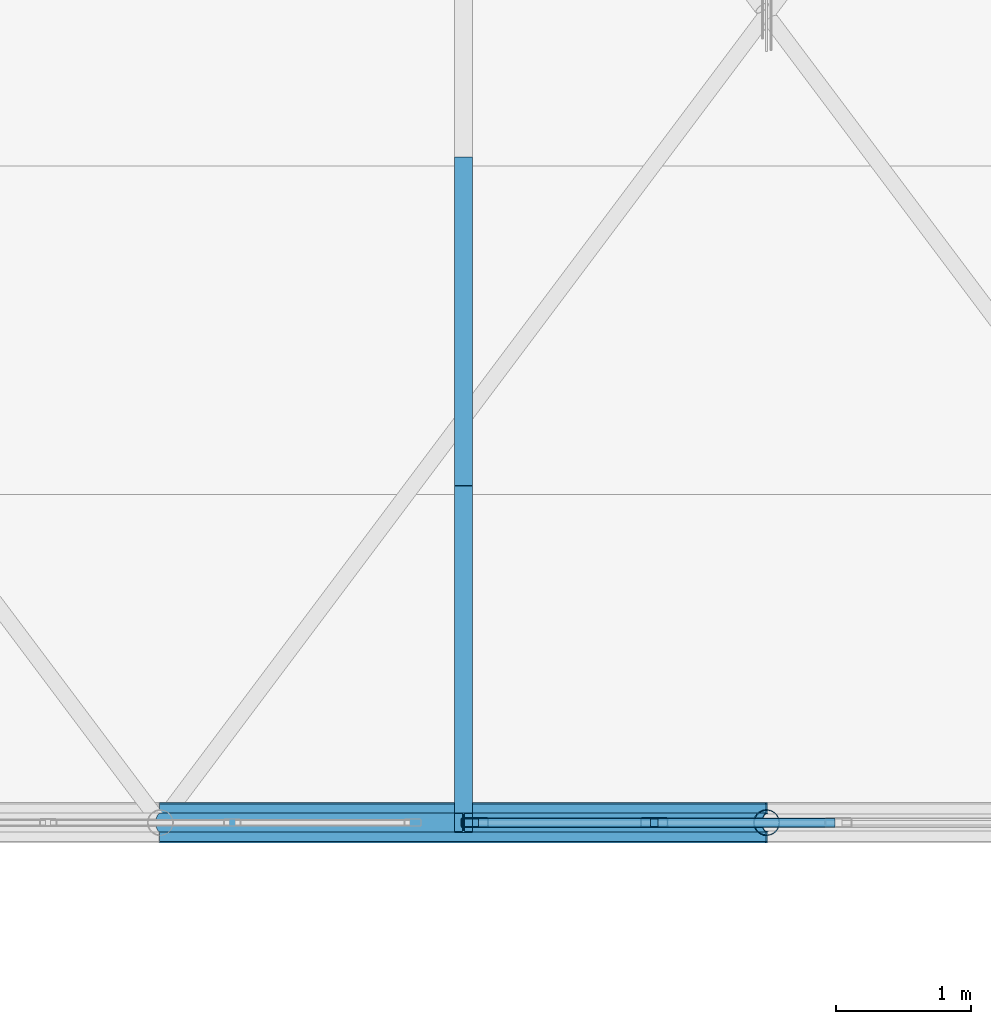
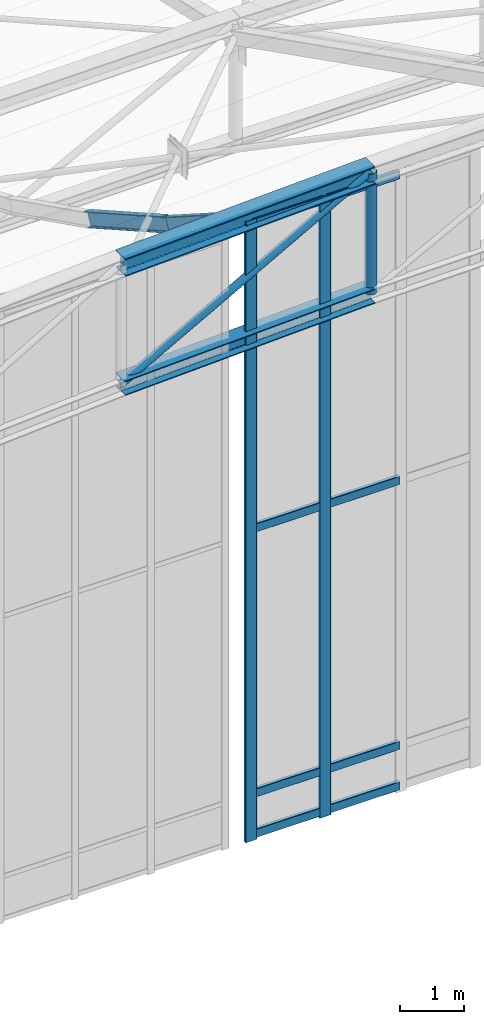
# One storey, part 51 of 262: 16 members, 1 element without a shape of its own.
"""IFC4 building model written with IfcOpenShell, lengths in metres."""

from ifc_helpers import new_model, si_unit, derived_unit, direction, frame, origin, origin_2d, place, context, subcontext, project, spatial, hollow_rectangle, hollow_circle, i_section, extrude, material, layer, layer_set, material_profile, profile_set, type_object, element, aggregate, save


model = new_model("IFC4")

# Units and contexts
model_context = context("Model", 3, precision=1e-05, world=origin(), true_north=direction((0.0, 1.0)))
body_context = subcontext(model_context, "Body", "Model", "MODEL_VIEW")
ifc_project = project(units=[si_unit("LENGTHUNIT", "METRE"), si_unit("AREAUNIT", "SQUARE_METRE"), si_unit("VOLUMEUNIT", "CUBIC_METRE"), si_unit("PLANEANGLEUNIT", "RADIAN"), si_unit("MASSUNIT", "GRAM", prefix="KILO"), derived_unit("THERMALTRANSMITTANCEUNIT", [(si_unit("POWERUNIT", "WATT"), 1), (si_unit("LENGTHUNIT", "METRE"), -2), (si_unit("THERMODYNAMICTEMPERATUREUNIT", "KELVIN"), -1)])], contexts=[model_context])

# Site, building, storey
site_placement = place(None, origin())
site = spatial("IfcSite", under=ifc_project, at=site_placement, CompositionType="ELEMENT")
building_placement = place(site_placement, origin())
building = spatial("IfcBuilding", under=site, at=building_placement, Name="Almenara Railside Exhibition Hall", CompositionType="ELEMENT")
storey_placement = place(building_placement, frame((0.0, 0.0, 21.699951171875)))
storey = spatial("IfcBuildingStorey", under=building, at=storey_placement, Name="RF", CompositionType="ELEMENT", Elevation=21.699951171875)

# Members
ifc_material_1 = material(Name="Structural steel S355JR", Category="steel")
ifc_material_profile_1 = material_profile(ifc_material_1, i_section(OverallWidth=0.280029296875, OverallDepth=0.280029296875, WebThickness=0.010498046875, FlangeThickness=0.01806640625, FilletRadius=0.02392578125, at=origin_2d()), Name="HEB 280")
ifc_profile_set_1 = profile_set([ifc_material_profile_1], Name="Structural steel S355JR")
member_type_1 = type_object("IfcMemberType", Name="Arched Gable Bottom Chord HEB 280 S355JR", PredefinedType="CHORD", material=ifc_profile_set_1)
member_1_placement = place(storey_placement, frame((30.0, 48.0, 8.5556640625), z_axis=(0.99917098071, 0.0, 0.04071057978), x_axis=(0.0, 1.0, 0.0)))
element("IfcMember", 1, at=member_1_placement, inside=storey, type_object=member_type_1, Name="MEM-BC-V1-00-04", PredefinedType="CHORD", context=body_context, shape_type="SweptSolid", body=[
    extrude(i_section(OverallWidth=0.280029296875, OverallDepth=0.280029296875, WebThickness=0.010498046875, FlangeThickness=0.01806640625, FilletRadius=0.02392578125, at=origin_2d()), origin(), (0.0, 0.0, 1.0), 4.503662109375),
])
ifc_material_profile_2 = material_profile(ifc_material_1, i_section(OverallWidth=0.300048828125, OverallDepth=0.340087890625, WebThickness=0.011962890625, FlangeThickness=0.021484375, FilletRadius=0.027099609375, at=origin_2d()), Name="HEB 340")
ifc_profile_set_2 = profile_set([ifc_material_profile_2], Name="Structural steel S355JR")
member_type_2 = type_object("IfcMemberType", Name="Arched Gable Top Chord HEB 340 S355JR", PredefinedType="CHORD", material=ifc_profile_set_2)
member_2_placement = place(storey_placement, frame((30.0, 48.0, 10.855712890625), z_axis=(0.999173184279, 0.0, 0.040656460949), x_axis=(0.0, 1.0, 0.0)))
element("IfcMember", 2, at=member_2_placement, inside=storey, type_object=member_type_2, Name="MEM-TC-V1-00-04", PredefinedType="CHORD", context=body_context, shape_type="SweptSolid", body=[
    extrude(i_section(OverallWidth=0.300048828125, OverallDepth=0.340087890625, WebThickness=0.011962890625, FlangeThickness=0.021484375, FilletRadius=0.027099609375, at=origin_2d()), origin(), (0.0, 0.0, 1.0), 4.503662109375),
])

# Curtain wall, members
ifc_material_2 = material(Name="Bronze-anodised aluminium and low-E double glazing", Category="aluminium")
ifc_layer = layer(ifc_material_2, 0.179931640625, Name="Bronze-anodised aluminium and low-E double glazing")
ifc_layer_set = layer_set([ifc_layer], Name="Bronze-anodised aluminium and low-E double glazing")
curtain_wall_type = type_object("IfcCurtainWallType", Name="Scroll Gable Tall Curtain Wall 3800x5400", PredefinedType="NOTDEFINED", material=ifc_layer_set)
curtain_wall_placement = place(storey_placement, origin())
curtain_wall = element("IfcCurtainWall", 3, at=curtain_wall_placement, inside=storey, type_object=curtain_wall_type, Name="Curtain wall CW-G1-200", PredefinedType="NOTDEFINED")
ifc_material_3 = material(Name="Bronze-anodised aluminium", Category="aluminium")
ifc_material_profile_3 = material_profile(ifc_material_3, hollow_rectangle(XDim=0.070068359375, YDim=0.199951171875, WallThickness=0.00439453125, InnerFilletRadius=0.00439453125, OuterFilletRadius=0.009033203125, at=origin_2d()), Name="ALU-MUL 70x200x4.5")
ifc_profile_set_3 = profile_set([ifc_material_profile_3], Name="Bronze-anodised aluminium")
member_type_3 = type_object("IfcMemberType", Name="Curtain Wall Mullion 70x200x4.5", PredefinedType="MULLION", material=ifc_profile_set_3)
member_3_placement = place(storey_placement, frame((32.3349609375, 48.0, -0.93505859375), z_axis=(0.0, 0.0, 1.0), x_axis=(0.0, 1.0, 0.0)))
member_3 = element("IfcMember", 4, at=member_3_placement, type_object=member_type_3, Name="CW-G1-200 mullion 1", PredefinedType="MULLION", context=body_context, shape_type="SweptSolid", body=[
    extrude(hollow_rectangle(XDim=0.070068359375, YDim=0.199951171875, WallThickness=0.00439453125, InnerFilletRadius=0.00439453125, OuterFilletRadius=0.009033203125, at=origin_2d()), origin(), (0.0, 0.0, 1.0), 11.815185546875),
])
member_4_placement = place(storey_placement, frame((33.666748046875, 48.0, -0.93505859375), z_axis=(0.0, 0.0, 1.0), x_axis=(0.0, 1.0, 0.0)))
member_4 = element("IfcMember", 5, at=member_4_placement, type_object=member_type_3, Name="CW-G1-200 mullion 2", PredefinedType="MULLION", context=body_context, shape_type="SweptSolid", body=[
    extrude(hollow_rectangle(XDim=0.070068359375, YDim=0.199951171875, WallThickness=0.00439453125, InnerFilletRadius=0.00439453125, OuterFilletRadius=0.009033203125, at=origin_2d()), origin(), (0.0, 0.0, 1.0), 11.815185546875),
])
ifc_material_profile_4 = material_profile(ifc_material_3, hollow_rectangle(XDim=0.070068359375, YDim=0.159912109375, WallThickness=0.00390625, InnerFilletRadius=0.00390625, OuterFilletRadius=0.008056640625, at=origin_2d()), Name="ALU-TRN 70x160x4")
ifc_profile_set_4 = profile_set([ifc_material_profile_4], Name="Bronze-anodised aluminium")
member_type_4 = type_object("IfcMemberType", Name="Curtain Wall Transom 70x160x4", PredefinedType="USERDEFINED", material=ifc_profile_set_4)
member_5_placement = place(storey_placement, frame((32.362060546875, 48.0, -0.820068359375), z_axis=(1.0, 0.0, 0.0), x_axis=(0.0, 1.0, 0.0)))
member_5 = element("IfcMember", 6, at=member_5_placement, type_object=member_type_4, Name="CW-G1-200 transom 1.1", ObjectType="TRANSOM", PredefinedType="USERDEFINED", context=body_context, shape_type="SweptSolid", body=[
    extrude(hollow_rectangle(XDim=0.070068359375, YDim=0.159912109375, WallThickness=0.00390625, InnerFilletRadius=0.00390625, OuterFilletRadius=0.008056640625, at=origin_2d()), origin(), (0.0, 0.0, 1.0), 1.277587890625),
])
member_6_placement = place(storey_placement, frame((32.362060546875, 48.0, -0.050048828125), z_axis=(1.0, 0.0, 0.0), x_axis=(0.0, 1.0, 0.0)))
member_6 = element("IfcMember", 7, at=member_6_placement, type_object=member_type_4, Name="CW-G1-200 transom 1.2", ObjectType="TRANSOM", PredefinedType="USERDEFINED", context=body_context, shape_type="SweptSolid", body=[
    extrude(hollow_rectangle(XDim=0.070068359375, YDim=0.159912109375, WallThickness=0.00390625, InnerFilletRadius=0.00390625, OuterFilletRadius=0.008056640625, at=origin_2d()), origin(), (0.0, 0.0, 1.0), 1.277587890625),
])
member_7_placement = place(storey_placement, frame((32.362060546875, 48.0, 4.989990234375), z_axis=(1.0, 0.0, 0.0), x_axis=(0.0, 1.0, 0.0)))
member_7 = element("IfcMember", 8, at=member_7_placement, type_object=member_type_4, Name="CW-G1-200 transom 1.3", ObjectType="TRANSOM", PredefinedType="USERDEFINED", context=body_context, shape_type="SweptSolid", body=[
    extrude(hollow_rectangle(XDim=0.070068359375, YDim=0.159912109375, WallThickness=0.00390625, InnerFilletRadius=0.00390625, OuterFilletRadius=0.008056640625, at=origin_2d()), origin(), (0.0, 0.0, 1.0), 1.277587890625),
])
member_8_placement = place(storey_placement, frame((32.362060546875, 48.0, 10.800048828125), z_axis=(1.0, 0.0, 0.0), x_axis=(0.0, 1.0, 0.0)))
member_8 = element("IfcMember", 9, at=member_8_placement, type_object=member_type_4, Name="CW-G1-200 transom 1.4", ObjectType="TRANSOM", PredefinedType="USERDEFINED", context=body_context, shape_type="SweptSolid", body=[
    extrude(hollow_rectangle(XDim=0.070068359375, YDim=0.159912109375, WallThickness=0.00390625, InnerFilletRadius=0.00390625, OuterFilletRadius=0.008056640625, at=origin_2d()), origin(), (0.0, 0.0, 1.0), 1.277587890625),
])
member_9_placement = place(storey_placement, frame((33.693603515625, 48.0, -0.820068359375), z_axis=(1.0, 0.0, 0.0), x_axis=(0.0, 1.0, 0.0)))
member_9 = element("IfcMember", 10, at=member_9_placement, type_object=member_type_4, Name="CW-G1-200 transom 2.1", ObjectType="TRANSOM", PredefinedType="USERDEFINED", context=body_context, shape_type="SweptSolid", body=[
    extrude(hollow_rectangle(XDim=0.070068359375, YDim=0.159912109375, WallThickness=0.00390625, InnerFilletRadius=0.00390625, OuterFilletRadius=0.008056640625, at=origin_2d()), origin(), (0.0, 0.0, 1.0), 1.312744140625),
])
member_10_placement = place(storey_placement, frame((33.693603515625, 48.0, -0.050048828125), z_axis=(1.0, 0.0, 0.0), x_axis=(0.0, 1.0, 0.0)))
member_10 = element("IfcMember", 11, at=member_10_placement, type_object=member_type_4, Name="CW-G1-200 transom 2.2", ObjectType="TRANSOM", PredefinedType="USERDEFINED", context=body_context, shape_type="SweptSolid", body=[
    extrude(hollow_rectangle(XDim=0.070068359375, YDim=0.159912109375, WallThickness=0.00390625, InnerFilletRadius=0.00390625, OuterFilletRadius=0.008056640625, at=origin_2d()), origin(), (0.0, 0.0, 1.0), 1.312744140625),
])
member_11_placement = place(storey_placement, frame((33.693603515625, 48.0, 4.989990234375), z_axis=(1.0, 0.0, 0.0), x_axis=(0.0, 1.0, 0.0)))
member_11 = element("IfcMember", 12, at=member_11_placement, type_object=member_type_4, Name="CW-G1-200 transom 2.3", ObjectType="TRANSOM", PredefinedType="USERDEFINED", context=body_context, shape_type="SweptSolid", body=[
    extrude(hollow_rectangle(XDim=0.070068359375, YDim=0.159912109375, WallThickness=0.00390625, InnerFilletRadius=0.00390625, OuterFilletRadius=0.008056640625, at=origin_2d()), origin(), (0.0, 0.0, 1.0), 1.312744140625),
])
member_12_placement = place(storey_placement, frame((33.693603515625, 48.0, 10.800048828125), z_axis=(1.0, 0.0, 0.0), x_axis=(0.0, 1.0, 0.0)))
member_12 = element("IfcMember", 13, at=member_12_placement, type_object=member_type_4, Name="CW-G1-200 transom 2.4", ObjectType="TRANSOM", PredefinedType="USERDEFINED", context=body_context, shape_type="SweptSolid", body=[
    extrude(hollow_rectangle(XDim=0.070068359375, YDim=0.159912109375, WallThickness=0.00390625, InnerFilletRadius=0.00390625, OuterFilletRadius=0.008056640625, at=origin_2d()), origin(), (0.0, 0.0, 1.0), 1.312744140625),
])
aggregate(curtain_wall, [member_3, member_4, member_5, member_6, member_7, member_8, member_9, member_10, member_11, member_12])

# Members
ifc_material_profile_5 = material_profile(ifc_material_1, i_section(OverallWidth=0.135009765625, OverallDepth=0.27001953125, WebThickness=0.006591796875, FlangeThickness=0.01025390625, FilletRadius=0.014892578125, at=origin_2d()), Name="IPE 270")
ifc_profile_set_5 = profile_set([ifc_material_profile_5], Name="Structural steel S355JR")
member_type_5 = type_object("IfcMemberType", Name="East Hall Standard Purlin IPE 270 S355JR", PredefinedType="PURLIN", material=ifc_profile_set_5)
member_13_placement = place(storey_placement, frame((32.25, 48.0, 10.885986328125), z_axis=(0.0, 0.842265270347, -0.53906327492), x_axis=(-1.0, 0.0, 0.0)))
element("IfcMember", 14, at=member_13_placement, inside=storey, type_object=member_type_5, Name="MEM-PR-V1-PR-IPE270-03-00", PredefinedType="PURLIN", context=body_context, shape_type="SweptSolid", body=[
    extrude(i_section(OverallWidth=0.135009765625, OverallDepth=0.27001953125, WebThickness=0.006591796875, FlangeThickness=0.01025390625, FilletRadius=0.014892578125, at=origin_2d()), origin(), (0.0, 0.0, 1.0), 2.89306640625),
])
member_14_placement = place(storey_placement, frame((32.25, 50.436767578125, 9.33837890625), z_axis=(0.0, 0.870483227181, -0.492198081261), x_axis=(-1.0, 0.0, 0.0)))
element("IfcMember", 15, at=member_14_placement, inside=storey, type_object=member_type_5, Name="MEM-PR-V1-PR-IPE270-03-01", PredefinedType="PURLIN", context=body_context, shape_type="SweptSolid", body=[
    extrude(i_section(OverallWidth=0.135009765625, OverallDepth=0.27001953125, WebThickness=0.006591796875, FlangeThickness=0.01025390625, FilletRadius=0.014892578125, at=origin_2d()), origin(), (0.0, 0.0, 1.0), 2.799072265625),
])
ifc_material_profile_6 = material_profile(ifc_material_1, hollow_circle(Radius=0.06982421875, WallThickness=0.0048828125, at=origin_2d()), Name="CHS 139.7x5")
ifc_profile_set_6 = profile_set([ifc_material_profile_6], Name="Structural steel S355JR")
member_type_6 = type_object("IfcMemberType", Name="Truss Inner Diagonal CHS 139.7x5 S355JR", PredefinedType="BRACE", material=ifc_profile_set_6)
member_15_placement = place(storey_placement, frame((30.0, 48.0, 8.5556640625), z_axis=(0.875545119572, 0.0, 0.483136361283), x_axis=(0.0, 1.0, 0.0)))
element("IfcMember", 16, at=member_15_placement, inside=storey, type_object=member_type_6, Name="MEM-TD-V1-00-04", PredefinedType="BRACE", context=body_context, shape_type="SweptSolid", body=[
    extrude(hollow_circle(Radius=0.06982421875, WallThickness=0.0048828125, at=origin_2d()), origin(), (0.0, 0.0, 1.0), 5.1396484375),
])
ifc_material_profile_7 = material_profile(ifc_material_1, hollow_circle(Radius=0.096923828125, WallThickness=0.00634765625, at=origin_2d()), Name="CHS 193.7x6.3")
ifc_profile_set_7 = profile_set([ifc_material_profile_7], Name="Structural steel S355JR")
member_type_7 = type_object("IfcMemberType", Name="Truss Standard Vertical Strut CHS 193.7x6.3 S355JR", PredefinedType="BRACE", material=ifc_profile_set_7)
member_16_placement = place(storey_placement, frame((34.5, 48.0, 8.739013671875), z_axis=(0.0, 0.0, 1.0), x_axis=(1.0, 0.0, 0.0)))
element("IfcMember", 17, at=member_16_placement, inside=storey, type_object=member_type_7, Name="MEM-TV-V1-00-05", PredefinedType="BRACE", context=body_context, shape_type="SweptSolid", body=[
    extrude(hollow_circle(Radius=0.096923828125, WallThickness=0.00634765625, at=origin_2d()), origin(), (0.0, 0.0, 1.0), 2.2998046875),
])

save(model, "model.ifc")
